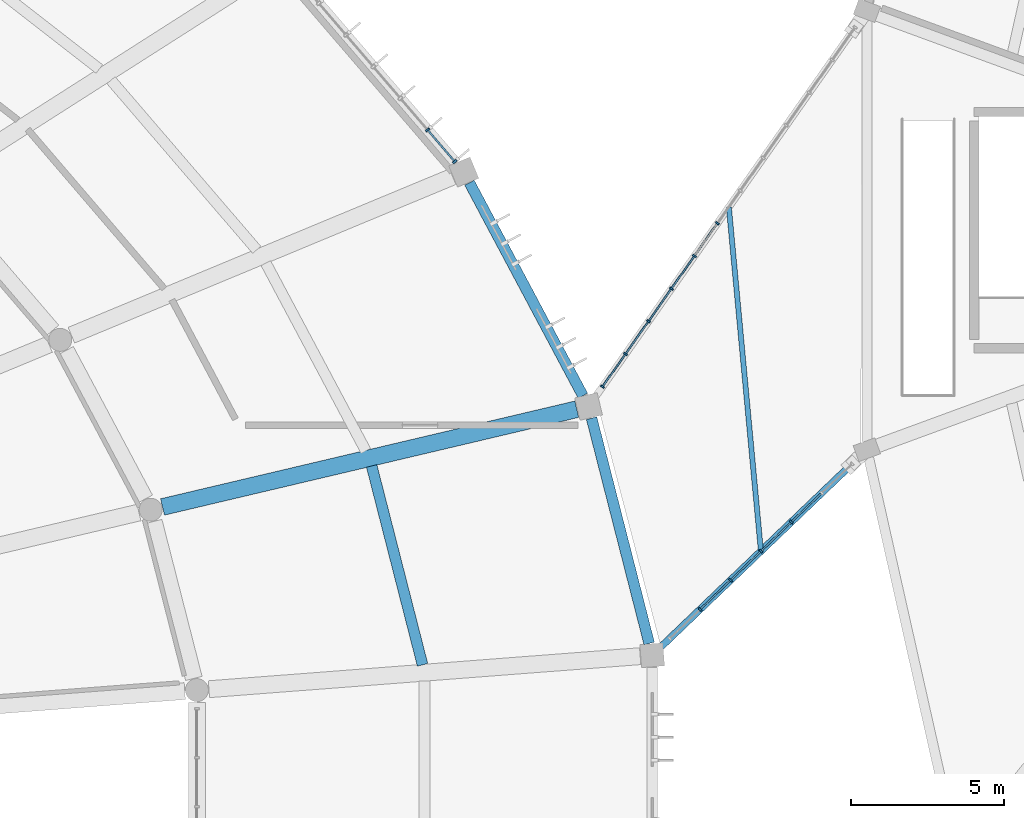
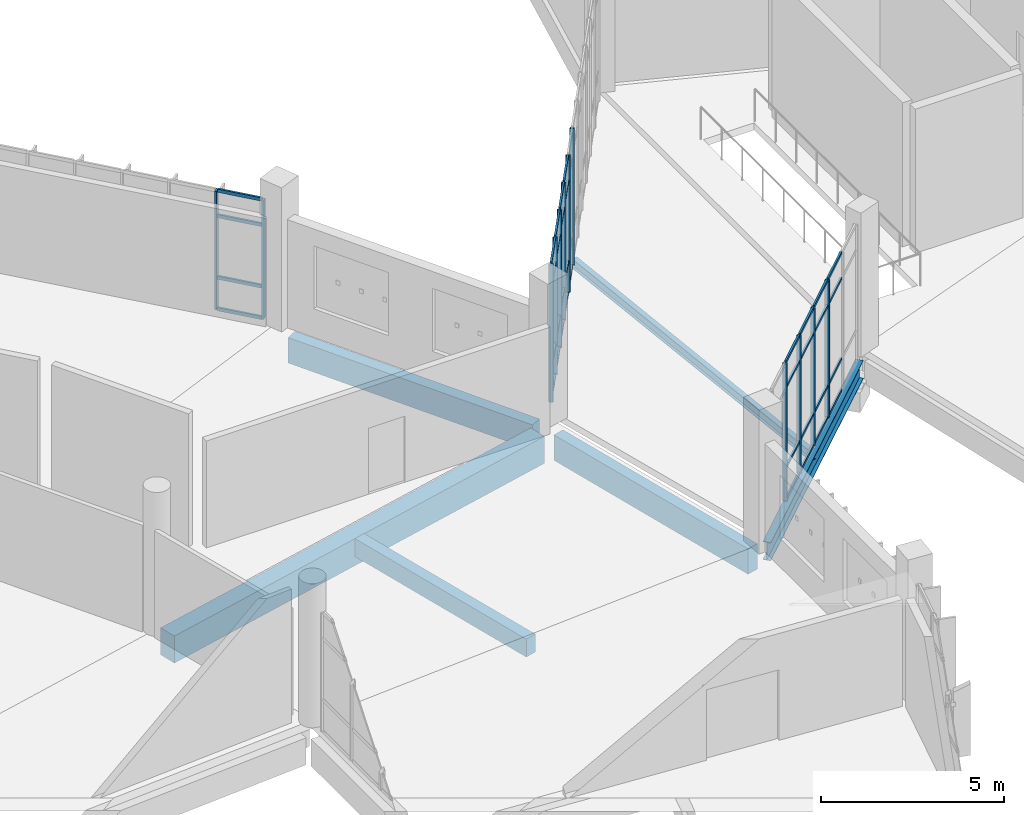
# One storey, part 48 of 179: 49 members, 6 beams, 3 elements without a shape of their own.
"""IFC4 building model written with IfcOpenShell, lengths in metres."""

from ifc_helpers import new_model, si_unit, direction, frame, origin, origin_2d, place, context, subcontext, project, spatial, rectangle, i_section, extrude, material, layer, layer_set, material_profile, profile_set, type_object, element, aggregate, save


model = new_model("IFC4")

# Units and contexts
model_context = context("Model", 3, precision=1e-05, world=origin(), true_north=direction((0.0, 1.0)))
body_context = subcontext(model_context, "Body", "Model", "MODEL_VIEW")
ifc_project = project(units=[si_unit("LENGTHUNIT", "METRE"), si_unit("AREAUNIT", "SQUARE_METRE"), si_unit("VOLUMEUNIT", "CUBIC_METRE"), si_unit("PLANEANGLEUNIT", "RADIAN"), si_unit("MASSUNIT", "GRAM", prefix="KILO")], contexts=[model_context])

# Site, building, storey
site_placement = place(None, origin())
site = spatial("IfcSite", under=ifc_project, at=site_placement, CompositionType="ELEMENT")
building_placement = place(site_placement, origin())
building = spatial("IfcBuilding", under=site, at=building_placement, Name="Corvandel Quay Wholesale Market", CompositionType="ELEMENT")
storey_placement = place(building_placement, frame((0.0, 0.0, 6.0)))
storey = spatial("IfcBuildingStorey", under=building, at=storey_placement, Name="L01", CompositionType="ELEMENT", Elevation=6.0)

# Beams
ifc_material_1 = material(Name="Steel A992 Grade 50", Category="steel")
ifc_material_profile_1 = material_profile(ifc_material_1, i_section(OverallWidth=0.1669921875, OverallDepth=0.318115234375, WebThickness=0.007568359375, FlangeThickness=0.01318359375, at=origin_2d()), Name="W12X35")
ifc_profile_set_1 = profile_set([ifc_material_profile_1], Name="Steel A992 Grade 50")
beam_type_1 = type_object("IfcBeamType", Name="Bridge Floor Steel Beam SB02 W12X35", PredefinedType="BEAM", material=ifc_profile_set_1)
beam_1_placement = place(storey_placement, frame((171.544189453125, 49.541259765625, -0.3798828125), z_axis=(-0.092821925556, 0.995682725639, 0.0), x_axis=(-0.995682725639, -0.092821925556, 0.0)))
element("IfcBeam", 1, at=beam_1_placement, inside=storey, type_object=beam_type_1, Name="Beam BM-1795", PredefinedType="BEAM", context=body_context, shape_type="SweptSolid", body=[
    extrude(i_section(OverallWidth=0.1669921875, OverallDepth=0.318115234375, WebThickness=0.007568359375, FlangeThickness=0.01318359375, at=origin_2d()), origin(), (0.0, 0.0, 1.0), 11.254638671875),
])
ifc_material_profile_2 = material_profile(ifc_material_1, i_section(OverallWidth=0.22900390625, OverallDepth=0.612060546875, WebThickness=0.011962890625, FlangeThickness=0.01953125, at=origin_2d()), Name="W24X84")
ifc_profile_set_2 = profile_set([ifc_material_profile_2], Name="Steel A992 Grade 50")
beam_type_2 = type_object("IfcBeamType", Name="Bridge Link Steel Girder SG02 W24X84", PredefinedType="USERDEFINED", material=ifc_profile_set_2)
beam_2_placement = place(storey_placement, frame((168.28173828125, 46.40673828125, -0.52587890625), z_axis=(0.72231317905, 0.691566100507, 0.0), x_axis=(-0.691566100507, 0.72231317905, 0.0)))
element("IfcBeam", 2, at=beam_2_placement, inside=storey, type_object=beam_type_2, Name="Beam BM-1792", ObjectType="GIRDER", PredefinedType="USERDEFINED", context=body_context, shape_type="SweptSolid", body=[
    extrude(i_section(OverallWidth=0.22900390625, OverallDepth=0.612060546875, WebThickness=0.011962890625, FlangeThickness=0.01953125, at=origin_2d()), origin(), (0.0, 0.0, 1.0), 9.0361328125),
])

# Curtain wall, members
ifc_material_2 = material(Name="Bronze anodised aluminium and low-E insulated glazing", Category="aluminium")
ifc_layer_1 = layer(ifc_material_2, 0.14990234375)
ifc_layer_set_1 = layer_set([ifc_layer_1], Name="Bronze anodised aluminium and low-E insulated glazing")
curtain_wall_type_1 = type_object("IfcCurtainWallType", Name="Stick Curtain Wall System CW25 H5250", PredefinedType="NOTDEFINED", material=ifc_layer_set_1)
curtain_wall_1_placement = place(storey_placement, origin())
curtain_wall_1 = element("IfcCurtainWall", 3, at=curtain_wall_1_placement, inside=storey, type_object=curtain_wall_type_1, Name="Curtain Wall CW-0176", PredefinedType="NOTDEFINED")
ifc_material_3 = material(Name="Anodised aluminium 6063-T6", Category="aluminium")
ifc_material_profile_3 = material_profile(ifc_material_3, rectangle(XDim=0.06005859375, YDim=0.1298828125, at=origin_2d()), Name="ALU-MUL-60x130")
ifc_profile_set_3 = profile_set([ifc_material_profile_3], Name="Anodised aluminium 6063-T6")
member_type_1 = type_object("IfcMemberType", Name="Clerestory Mullion ML03 60x130", PredefinedType="MULLION", material=ifc_profile_set_3)
member_1_placement = place(storey_placement, frame((169.56201171875, 47.632568359375, -0.030029296875), z_axis=(0.0, 0.0, 1.0), x_axis=(0.72236396206, 0.691513055782, 0.0)))
member_1 = element("IfcMember", 4, at=member_1_placement, type_object=member_type_1, Name="Mullion CW-0176-M01", PredefinedType="MULLION", context=body_context, shape_type="SweptSolid", body=[
    extrude(rectangle(XDim=0.06005859375, YDim=0.1298828125, at=origin_2d()), origin(), (0.0, 0.0, 1.0), 4.580078125),
])
member_2_placement = place(storey_placement, frame((170.5537109375, 48.581787109375, -0.030029296875), z_axis=(0.0, 0.0, 1.0), x_axis=(0.72236396206, 0.691513055782, 0.0)))
member_2 = element("IfcMember", 5, at=member_2_placement, type_object=member_type_1, Name="Mullion CW-0176-M02", PredefinedType="MULLION", context=body_context, shape_type="SweptSolid", body=[
    extrude(rectangle(XDim=0.06005859375, YDim=0.1298828125, at=origin_2d()), origin(), (0.0, 0.0, 1.0), 4.580078125),
])
member_3_placement = place(storey_placement, frame((171.545166015625, 49.53125, -0.030029296875), z_axis=(0.0, 0.0, 1.0), x_axis=(0.72236396206, 0.691513055782, 0.0)))
member_3 = element("IfcMember", 6, at=member_3_placement, type_object=member_type_1, Name="Mullion CW-0176-M03", PredefinedType="MULLION", context=body_context, shape_type="SweptSolid", body=[
    extrude(rectangle(XDim=0.06005859375, YDim=0.1298828125, at=origin_2d()), origin(), (0.0, 0.0, 1.0), 4.580078125),
])
member_4_placement = place(storey_placement, frame((172.53662109375, 50.48046875, -0.030029296875), z_axis=(0.0, 0.0, 1.0), x_axis=(0.72236396206, 0.691513055782, 0.0)))
member_4 = element("IfcMember", 7, at=member_4_placement, type_object=member_type_1, Name="Mullion CW-0176-M04", PredefinedType="MULLION", context=body_context, shape_type="SweptSolid", body=[
    extrude(rectangle(XDim=0.06005859375, YDim=0.1298828125, at=origin_2d()), origin(), (0.0, 0.0, 1.0), 4.580078125),
])

ifc_layer_2 = layer(ifc_material_2, 0.162109375)
ifc_layer_set_2 = layer_set([ifc_layer_2], Name="Bronze anodised aluminium and low-E insulated glazing")
curtain_wall_type_2 = type_object("IfcCurtainWallType", Name="Stick Curtain Wall System CW26 H5340", PredefinedType="NOTDEFINED", material=ifc_layer_set_2)
curtain_wall_2_placement = place(storey_placement, origin())
curtain_wall_2 = element("IfcCurtainWall", 8, at=curtain_wall_2_placement, inside=storey, type_object=curtain_wall_type_2, Name="Curtain Wall CW-0177", PredefinedType="NOTDEFINED")
member_5_placement = place(storey_placement, frame((166.37939453125, 54.8974609375, -0.030029296875), z_axis=(0.0, 0.0, 1.0), x_axis=(0.575148037348, 0.818049347616, 0.0)))
member_5 = element("IfcMember", 9, at=member_5_placement, type_object=member_type_1, Name="Mullion CW-0177-M00", PredefinedType="MULLION", context=body_context, shape_type="SweptSolid", body=[
    extrude(rectangle(XDim=0.06005859375, YDim=0.1298828125, at=origin_2d()), origin(), (0.0, 0.0, 1.0), 4.580078125),
])
member_6_placement = place(storey_placement, frame((167.128173828125, 55.962890625, -0.030029296875), z_axis=(0.0, 0.0, 1.0), x_axis=(0.575148037348, 0.818049347616, 0.0)))
member_6 = element("IfcMember", 10, at=member_6_placement, type_object=member_type_1, Name="Mullion CW-0177-M01", PredefinedType="MULLION", context=body_context, shape_type="SweptSolid", body=[
    extrude(rectangle(XDim=0.06005859375, YDim=0.1298828125, at=origin_2d()), origin(), (0.0, 0.0, 1.0), 4.580078125),
])
member_7_placement = place(storey_placement, frame((167.877197265625, 57.0283203125, -0.030029296875), z_axis=(0.0, 0.0, 1.0), x_axis=(0.575148037348, 0.818049347616, 0.0)))
member_7 = element("IfcMember", 11, at=member_7_placement, type_object=member_type_1, Name="Mullion CW-0177-M02", PredefinedType="MULLION", context=body_context, shape_type="SweptSolid", body=[
    extrude(rectangle(XDim=0.06005859375, YDim=0.1298828125, at=origin_2d()), origin(), (0.0, 0.0, 1.0), 4.580078125),
])
member_8_placement = place(storey_placement, frame((168.626220703125, 58.093505859375, -0.030029296875), z_axis=(0.0, 0.0, 1.0), x_axis=(0.575148037348, 0.818049347616, 0.0)))
member_8 = element("IfcMember", 12, at=member_8_placement, type_object=member_type_1, Name="Mullion CW-0177-M03", PredefinedType="MULLION", context=body_context, shape_type="SweptSolid", body=[
    extrude(rectangle(XDim=0.06005859375, YDim=0.1298828125, at=origin_2d()), origin(), (0.0, 0.0, 1.0), 4.580078125),
])
member_9_placement = place(storey_placement, frame((169.375, 59.158935546875, -0.030029296875), z_axis=(0.0, 0.0, 1.0), x_axis=(0.575148037348, 0.818049347616, 0.0)))
member_9 = element("IfcMember", 13, at=member_9_placement, type_object=member_type_1, Name="Mullion CW-0177-M04", PredefinedType="MULLION", context=body_context, shape_type="SweptSolid", body=[
    extrude(rectangle(XDim=0.06005859375, YDim=0.1298828125, at=origin_2d()), origin(), (0.0, 0.0, 1.0), 4.580078125),
])
member_10_placement = place(storey_placement, frame((170.1240234375, 60.224365234375, -0.030029296875), z_axis=(0.0, 0.0, 1.0), x_axis=(0.575148037348, 0.818049347616, 0.0)))
member_10 = element("IfcMember", 14, at=member_10_placement, type_object=member_type_1, Name="Mullion CW-0177-M05", PredefinedType="MULLION", context=body_context, shape_type="SweptSolid", body=[
    extrude(rectangle(XDim=0.06005859375, YDim=0.1298828125, at=origin_2d()), origin(), (0.0, 0.0, 1.0), 4.580078125),
])

# Member
ifc_material_profile_4 = material_profile(ifc_material_3, rectangle(XDim=0.054931640625, YDim=0.094970703125, at=origin_2d()), Name="ALU-TRN-55x95")
ifc_profile_set_4 = profile_set([ifc_material_profile_4], Name="Anodised aluminium 6063-T6")
member_type_2 = type_object("IfcMemberType", Name="Clerestory Transom TR03 55x95", PredefinedType="USERDEFINED", material=ifc_profile_set_4)
member_11_placement = place(storey_placement, frame((169.583740234375, 47.6533203125, -0.030029296875), z_axis=(0.722282315637, 0.691598334669, 0.0), x_axis=(-0.691598334669, 0.722282315637, 0.0)))
member_11 = element("IfcMember", 15, at=member_11_placement, type_object=member_type_2, Name="Transom CW-0176-T01-0", ObjectType="TRANSOM", PredefinedType="USERDEFINED", context=body_context, shape_type="SweptSolid", body=[
    extrude(rectangle(XDim=0.054931640625, YDim=0.094970703125, at=origin_2d()), origin(), (0.0, 0.0, 1.0), 1.312744140625),
])

member_12_placement = place(storey_placement, frame((169.583740234375, 47.6533203125, 1.02001953125), z_axis=(0.722282315637, 0.691598334669, 0.0), x_axis=(-0.691598334669, 0.722282315637, 0.0)))
member_12 = element("IfcMember", 16, at=member_12_placement, type_object=member_type_2, Name="Transom CW-0176-T01-1", ObjectType="TRANSOM", PredefinedType="USERDEFINED", context=body_context, shape_type="SweptSolid", body=[
    extrude(rectangle(XDim=0.054931640625, YDim=0.094970703125, at=origin_2d()), origin(), (0.0, 0.0, 1.0), 1.312744140625),
])

member_13_placement = place(storey_placement, frame((169.583740234375, 47.6533203125, 3.699951171875), z_axis=(0.722282315637, 0.691598334669, 0.0), x_axis=(-0.691598334669, 0.722282315637, 0.0)))
member_13 = element("IfcMember", 17, at=member_13_placement, type_object=member_type_2, Name="Transom CW-0176-T01-2", ObjectType="TRANSOM", PredefinedType="USERDEFINED", context=body_context, shape_type="SweptSolid", body=[
    extrude(rectangle(XDim=0.054931640625, YDim=0.094970703125, at=origin_2d()), origin(), (0.0, 0.0, 1.0), 1.312744140625),
])

member_14_placement = place(storey_placement, frame((169.583740234375, 47.6533203125, 4.550048828125), z_axis=(0.722282315637, 0.691598334669, 0.0), x_axis=(-0.691598334669, 0.722282315637, 0.0)))
member_14 = element("IfcMember", 18, at=member_14_placement, type_object=member_type_2, Name="Transom CW-0176-T01-3", ObjectType="TRANSOM", PredefinedType="USERDEFINED", context=body_context, shape_type="SweptSolid", body=[
    extrude(rectangle(XDim=0.054931640625, YDim=0.094970703125, at=origin_2d()), origin(), (0.0, 0.0, 1.0), 1.312744140625),
])

member_15_placement = place(storey_placement, frame((170.5751953125, 48.6025390625, -0.030029296875), z_axis=(0.722282315637, 0.691598334669, 0.0), x_axis=(-0.691598334669, 0.722282315637, 0.0)))
member_15 = element("IfcMember", 19, at=member_15_placement, type_object=member_type_2, Name="Transom CW-0176-T02-0", ObjectType="TRANSOM", PredefinedType="USERDEFINED", context=body_context, shape_type="SweptSolid", body=[
    extrude(rectangle(XDim=0.054931640625, YDim=0.094970703125, at=origin_2d()), origin(), (0.0, 0.0, 1.0), 1.312744140625),
])

member_16_placement = place(storey_placement, frame((170.5751953125, 48.6025390625, 1.02001953125), z_axis=(0.722282315637, 0.691598334669, 0.0), x_axis=(-0.691598334669, 0.722282315637, 0.0)))
member_16 = element("IfcMember", 20, at=member_16_placement, type_object=member_type_2, Name="Transom CW-0176-T02-1", ObjectType="TRANSOM", PredefinedType="USERDEFINED", context=body_context, shape_type="SweptSolid", body=[
    extrude(rectangle(XDim=0.054931640625, YDim=0.094970703125, at=origin_2d()), origin(), (0.0, 0.0, 1.0), 1.312744140625),
])

member_17_placement = place(storey_placement, frame((170.5751953125, 48.6025390625, 3.699951171875), z_axis=(0.722282315637, 0.691598334669, 0.0), x_axis=(-0.691598334669, 0.722282315637, 0.0)))
member_17 = element("IfcMember", 21, at=member_17_placement, type_object=member_type_2, Name="Transom CW-0176-T02-2", ObjectType="TRANSOM", PredefinedType="USERDEFINED", context=body_context, shape_type="SweptSolid", body=[
    extrude(rectangle(XDim=0.054931640625, YDim=0.094970703125, at=origin_2d()), origin(), (0.0, 0.0, 1.0), 1.312744140625),
])

member_18_placement = place(storey_placement, frame((170.5751953125, 48.6025390625, 4.550048828125), z_axis=(0.722282315637, 0.691598334669, 0.0), x_axis=(-0.691598334669, 0.722282315637, 0.0)))
member_18 = element("IfcMember", 22, at=member_18_placement, type_object=member_type_2, Name="Transom CW-0176-T02-3", ObjectType="TRANSOM", PredefinedType="USERDEFINED", context=body_context, shape_type="SweptSolid", body=[
    extrude(rectangle(XDim=0.054931640625, YDim=0.094970703125, at=origin_2d()), origin(), (0.0, 0.0, 1.0), 1.312744140625),
])

member_19_placement = place(storey_placement, frame((171.56689453125, 49.552001953125, -0.030029296875), z_axis=(0.722286262994, 0.691594212158, 0.0), x_axis=(-0.691594212158, 0.722286262994, 0.0)))
member_19 = element("IfcMember", 23, at=member_19_placement, type_object=member_type_2, Name="Transom CW-0176-T03-0", ObjectType="TRANSOM", PredefinedType="USERDEFINED", context=body_context, shape_type="SweptSolid", body=[
    extrude(rectangle(XDim=0.054931640625, YDim=0.094970703125, at=origin_2d()), origin(), (0.0, 0.0, 1.0), 1.3125),
])

member_20_placement = place(storey_placement, frame((171.56689453125, 49.552001953125, 1.02001953125), z_axis=(0.722286262994, 0.691594212158, 0.0), x_axis=(-0.691594212158, 0.722286262994, 0.0)))
member_20 = element("IfcMember", 24, at=member_20_placement, type_object=member_type_2, Name="Transom CW-0176-T03-1", ObjectType="TRANSOM", PredefinedType="USERDEFINED", context=body_context, shape_type="SweptSolid", body=[
    extrude(rectangle(XDim=0.054931640625, YDim=0.094970703125, at=origin_2d()), origin(), (0.0, 0.0, 1.0), 1.3125),
])

member_21_placement = place(storey_placement, frame((171.56689453125, 49.552001953125, 3.699951171875), z_axis=(0.722286262994, 0.691594212158, 0.0), x_axis=(-0.691594212158, 0.722286262994, 0.0)))
member_21 = element("IfcMember", 25, at=member_21_placement, type_object=member_type_2, Name="Transom CW-0176-T03-2", ObjectType="TRANSOM", PredefinedType="USERDEFINED", context=body_context, shape_type="SweptSolid", body=[
    extrude(rectangle(XDim=0.054931640625, YDim=0.094970703125, at=origin_2d()), origin(), (0.0, 0.0, 1.0), 1.3125),
])

member_22_placement = place(storey_placement, frame((171.56689453125, 49.552001953125, 4.550048828125), z_axis=(0.722286262994, 0.691594212158, 0.0), x_axis=(-0.691594212158, 0.722286262994, 0.0)))
member_22 = element("IfcMember", 26, at=member_22_placement, type_object=member_type_2, Name="Transom CW-0176-T03-3", ObjectType="TRANSOM", PredefinedType="USERDEFINED", context=body_context, shape_type="SweptSolid", body=[
    extrude(rectangle(XDim=0.054931640625, YDim=0.094970703125, at=origin_2d()), origin(), (0.0, 0.0, 1.0), 1.3125),
])

member_23_placement = place(storey_placement, frame((172.558349609375, 50.501220703125, -0.030029296875), z_axis=(0.722282315637, 0.691598334669, 0.0), x_axis=(-0.691598334669, 0.722282315637, 0.0)))
member_23 = element("IfcMember", 27, at=member_23_placement, type_object=member_type_2, Name="Transom CW-0176-T04-0", ObjectType="TRANSOM", PredefinedType="USERDEFINED", context=body_context, shape_type="SweptSolid", body=[
    extrude(rectangle(XDim=0.054931640625, YDim=0.094970703125, at=origin_2d()), origin(), (0.0, 0.0, 1.0), 1.312744140625),
])

member_24_placement = place(storey_placement, frame((172.558349609375, 50.501220703125, 1.02001953125), z_axis=(0.722282315637, 0.691598334669, 0.0), x_axis=(-0.691598334669, 0.722282315637, 0.0)))
member_24 = element("IfcMember", 28, at=member_24_placement, type_object=member_type_2, Name="Transom CW-0176-T04-1", ObjectType="TRANSOM", PredefinedType="USERDEFINED", context=body_context, shape_type="SweptSolid", body=[
    extrude(rectangle(XDim=0.054931640625, YDim=0.094970703125, at=origin_2d()), origin(), (0.0, 0.0, 1.0), 1.312744140625),
])

member_25_placement = place(storey_placement, frame((172.558349609375, 50.501220703125, 3.699951171875), z_axis=(0.722282315637, 0.691598334669, 0.0), x_axis=(-0.691598334669, 0.722282315637, 0.0)))
member_25 = element("IfcMember", 29, at=member_25_placement, type_object=member_type_2, Name="Transom CW-0176-T04-2", ObjectType="TRANSOM", PredefinedType="USERDEFINED", context=body_context, shape_type="SweptSolid", body=[
    extrude(rectangle(XDim=0.054931640625, YDim=0.094970703125, at=origin_2d()), origin(), (0.0, 0.0, 1.0), 1.312744140625),
])

member_26_placement = place(storey_placement, frame((172.558349609375, 50.501220703125, 4.550048828125), z_axis=(0.722282315637, 0.691598334669, 0.0), x_axis=(-0.691598334669, 0.722282315637, 0.0)))
member_26 = element("IfcMember", 30, at=member_26_placement, type_object=member_type_2, Name="Transom CW-0176-T04-3", ObjectType="TRANSOM", PredefinedType="USERDEFINED", context=body_context, shape_type="SweptSolid", body=[
    extrude(rectangle(XDim=0.054931640625, YDim=0.094970703125, at=origin_2d()), origin(), (0.0, 0.0, 1.0), 1.312744140625),
])

aggregate(curtain_wall_1, [member_1, member_2, member_3, member_4, member_11, member_12, member_13, member_14, member_15, member_16, member_17, member_18, member_19, member_20, member_21, member_22, member_23, member_24, member_25, member_26])

member_27_placement = place(storey_placement, frame((166.396484375, 54.921875, -0.030029296875), z_axis=(0.575162369766, 0.818039270699, 0.0), x_axis=(-0.818039270699, 0.575162369766, 0.0)))
member_27 = element("IfcMember", 31, at=member_27_placement, type_object=member_type_2, Name="Transom CW-0177-T00-0", ObjectType="TRANSOM", PredefinedType="USERDEFINED", context=body_context, shape_type="SweptSolid", body=[
    extrude(rectangle(XDim=0.054931640625, YDim=0.094970703125, at=origin_2d()), origin(), (0.0, 0.0, 1.0), 1.242431640625),
])

member_28_placement = place(storey_placement, frame((166.396484375, 54.921875, 1.02001953125), z_axis=(0.575162369766, 0.818039270699, 0.0), x_axis=(-0.818039270699, 0.575162369766, 0.0)))
member_28 = element("IfcMember", 32, at=member_28_placement, type_object=member_type_2, Name="Transom CW-0177-T00-1", ObjectType="TRANSOM", PredefinedType="USERDEFINED", context=body_context, shape_type="SweptSolid", body=[
    extrude(rectangle(XDim=0.054931640625, YDim=0.094970703125, at=origin_2d()), origin(), (0.0, 0.0, 1.0), 1.242431640625),
])

member_29_placement = place(storey_placement, frame((166.396484375, 54.921875, 3.699951171875), z_axis=(0.575162369766, 0.818039270699, 0.0), x_axis=(-0.818039270699, 0.575162369766, 0.0)))
member_29 = element("IfcMember", 33, at=member_29_placement, type_object=member_type_2, Name="Transom CW-0177-T00-2", ObjectType="TRANSOM", PredefinedType="USERDEFINED", context=body_context, shape_type="SweptSolid", body=[
    extrude(rectangle(XDim=0.054931640625, YDim=0.094970703125, at=origin_2d()), origin(), (0.0, 0.0, 1.0), 1.242431640625),
])

member_30_placement = place(storey_placement, frame((166.396484375, 54.921875, 4.550048828125), z_axis=(0.575162369766, 0.818039270699, 0.0), x_axis=(-0.818039270699, 0.575162369766, 0.0)))
member_30 = element("IfcMember", 34, at=member_30_placement, type_object=member_type_2, Name="Transom CW-0177-T00-3", ObjectType="TRANSOM", PredefinedType="USERDEFINED", context=body_context, shape_type="SweptSolid", body=[
    extrude(rectangle(XDim=0.054931640625, YDim=0.094970703125, at=origin_2d()), origin(), (0.0, 0.0, 1.0), 1.242431640625),
])

member_31_placement = place(storey_placement, frame((167.1455078125, 55.9873046875, -0.030029296875), z_axis=(0.57503085041, 0.818131725993, 0.0), x_axis=(-0.818131725993, 0.57503085041, 0.0)))
member_31 = element("IfcMember", 35, at=member_31_placement, type_object=member_type_2, Name="Transom CW-0177-T01-0", ObjectType="TRANSOM", PredefinedType="USERDEFINED", context=body_context, shape_type="SweptSolid", body=[
    extrude(rectangle(XDim=0.054931640625, YDim=0.094970703125, at=origin_2d()), origin(), (0.0, 0.0, 1.0), 1.2421875),
])

member_32_placement = place(storey_placement, frame((167.1455078125, 55.9873046875, 1.02001953125), z_axis=(0.57503085041, 0.818131725993, 0.0), x_axis=(-0.818131725993, 0.57503085041, 0.0)))
member_32 = element("IfcMember", 36, at=member_32_placement, type_object=member_type_2, Name="Transom CW-0177-T01-1", ObjectType="TRANSOM", PredefinedType="USERDEFINED", context=body_context, shape_type="SweptSolid", body=[
    extrude(rectangle(XDim=0.054931640625, YDim=0.094970703125, at=origin_2d()), origin(), (0.0, 0.0, 1.0), 1.2421875),
])

member_33_placement = place(storey_placement, frame((167.1455078125, 55.9873046875, 3.699951171875), z_axis=(0.57503085041, 0.818131725993, 0.0), x_axis=(-0.818131725993, 0.57503085041, 0.0)))
member_33 = element("IfcMember", 37, at=member_33_placement, type_object=member_type_2, Name="Transom CW-0177-T01-2", ObjectType="TRANSOM", PredefinedType="USERDEFINED", context=body_context, shape_type="SweptSolid", body=[
    extrude(rectangle(XDim=0.054931640625, YDim=0.094970703125, at=origin_2d()), origin(), (0.0, 0.0, 1.0), 1.2421875),
])

member_34_placement = place(storey_placement, frame((167.1455078125, 55.9873046875, 4.550048828125), z_axis=(0.57503085041, 0.818131725993, 0.0), x_axis=(-0.818131725993, 0.57503085041, 0.0)))
member_34 = element("IfcMember", 38, at=member_34_placement, type_object=member_type_2, Name="Transom CW-0177-T01-3", ObjectType="TRANSOM", PredefinedType="USERDEFINED", context=body_context, shape_type="SweptSolid", body=[
    extrude(rectangle(XDim=0.054931640625, YDim=0.094970703125, at=origin_2d()), origin(), (0.0, 0.0, 1.0), 1.2421875),
])

member_35_placement = place(storey_placement, frame((167.894287109375, 57.052734375, -0.030029296875), z_axis=(0.575162369766, 0.818039270699, 0.0), x_axis=(-0.818039270699, 0.575162369766, 0.0)))
member_35 = element("IfcMember", 39, at=member_35_placement, type_object=member_type_2, Name="Transom CW-0177-T02-0", ObjectType="TRANSOM", PredefinedType="USERDEFINED", context=body_context, shape_type="SweptSolid", body=[
    extrude(rectangle(XDim=0.054931640625, YDim=0.094970703125, at=origin_2d()), origin(), (0.0, 0.0, 1.0), 1.242431640625),
])

member_36_placement = place(storey_placement, frame((167.894287109375, 57.052734375, 1.02001953125), z_axis=(0.575162369766, 0.818039270699, 0.0), x_axis=(-0.818039270699, 0.575162369766, 0.0)))
member_36 = element("IfcMember", 40, at=member_36_placement, type_object=member_type_2, Name="Transom CW-0177-T02-1", ObjectType="TRANSOM", PredefinedType="USERDEFINED", context=body_context, shape_type="SweptSolid", body=[
    extrude(rectangle(XDim=0.054931640625, YDim=0.094970703125, at=origin_2d()), origin(), (0.0, 0.0, 1.0), 1.242431640625),
])

member_37_placement = place(storey_placement, frame((167.894287109375, 57.052734375, 3.699951171875), z_axis=(0.575162369766, 0.818039270699, 0.0), x_axis=(-0.818039270699, 0.575162369766, 0.0)))
member_37 = element("IfcMember", 41, at=member_37_placement, type_object=member_type_2, Name="Transom CW-0177-T02-2", ObjectType="TRANSOM", PredefinedType="USERDEFINED", context=body_context, shape_type="SweptSolid", body=[
    extrude(rectangle(XDim=0.054931640625, YDim=0.094970703125, at=origin_2d()), origin(), (0.0, 0.0, 1.0), 1.242431640625),
])

member_38_placement = place(storey_placement, frame((167.894287109375, 57.052734375, 4.550048828125), z_axis=(0.575162369766, 0.818039270699, 0.0), x_axis=(-0.818039270699, 0.575162369766, 0.0)))
member_38 = element("IfcMember", 42, at=member_38_placement, type_object=member_type_2, Name="Transom CW-0177-T02-3", ObjectType="TRANSOM", PredefinedType="USERDEFINED", context=body_context, shape_type="SweptSolid", body=[
    extrude(rectangle(XDim=0.054931640625, YDim=0.094970703125, at=origin_2d()), origin(), (0.0, 0.0, 1.0), 1.242431640625),
])

member_39_placement = place(storey_placement, frame((168.643310546875, 58.1181640625, -0.030029296875), z_axis=(0.575162369766, 0.818039270699, 0.0), x_axis=(-0.818039270699, 0.575162369766, 0.0)))
member_39 = element("IfcMember", 43, at=member_39_placement, type_object=member_type_2, Name="Transom CW-0177-T03-0", ObjectType="TRANSOM", PredefinedType="USERDEFINED", context=body_context, shape_type="SweptSolid", body=[
    extrude(rectangle(XDim=0.054931640625, YDim=0.094970703125, at=origin_2d()), origin(), (0.0, 0.0, 1.0), 1.242431640625),
])

member_40_placement = place(storey_placement, frame((168.643310546875, 58.1181640625, 1.02001953125), z_axis=(0.575162369766, 0.818039270699, 0.0), x_axis=(-0.818039270699, 0.575162369766, 0.0)))
member_40 = element("IfcMember", 44, at=member_40_placement, type_object=member_type_2, Name="Transom CW-0177-T03-1", ObjectType="TRANSOM", PredefinedType="USERDEFINED", context=body_context, shape_type="SweptSolid", body=[
    extrude(rectangle(XDim=0.054931640625, YDim=0.094970703125, at=origin_2d()), origin(), (0.0, 0.0, 1.0), 1.242431640625),
])

member_41_placement = place(storey_placement, frame((168.643310546875, 58.1181640625, 3.699951171875), z_axis=(0.575162369766, 0.818039270699, 0.0), x_axis=(-0.818039270699, 0.575162369766, 0.0)))
member_41 = element("IfcMember", 45, at=member_41_placement, type_object=member_type_2, Name="Transom CW-0177-T03-2", ObjectType="TRANSOM", PredefinedType="USERDEFINED", context=body_context, shape_type="SweptSolid", body=[
    extrude(rectangle(XDim=0.054931640625, YDim=0.094970703125, at=origin_2d()), origin(), (0.0, 0.0, 1.0), 1.242431640625),
])

member_42_placement = place(storey_placement, frame((168.643310546875, 58.1181640625, 4.550048828125), z_axis=(0.575162369766, 0.818039270699, 0.0), x_axis=(-0.818039270699, 0.575162369766, 0.0)))
member_42 = element("IfcMember", 46, at=member_42_placement, type_object=member_type_2, Name="Transom CW-0177-T03-3", ObjectType="TRANSOM", PredefinedType="USERDEFINED", context=body_context, shape_type="SweptSolid", body=[
    extrude(rectangle(XDim=0.054931640625, YDim=0.094970703125, at=origin_2d()), origin(), (0.0, 0.0, 1.0), 1.242431640625),
])

member_43_placement = place(storey_placement, frame((169.392333984375, 59.18359375, -0.030029296875), z_axis=(0.57503085041, 0.818131725993, 0.0), x_axis=(-0.818131725993, 0.57503085041, 0.0)))
member_43 = element("IfcMember", 47, at=member_43_placement, type_object=member_type_2, Name="Transom CW-0177-T04-0", ObjectType="TRANSOM", PredefinedType="USERDEFINED", context=body_context, shape_type="SweptSolid", body=[
    extrude(rectangle(XDim=0.054931640625, YDim=0.094970703125, at=origin_2d()), origin(), (0.0, 0.0, 1.0), 1.2421875),
])

aggregate(curtain_wall_2, [member_5, member_6, member_7, member_8, member_9, member_10, member_27, member_28, member_29, member_30, member_31, member_32, member_33, member_34, member_35, member_36, member_37, member_38, member_39, member_40, member_41, member_42, member_43])

# Curtain wall, members
ifc_layer_3 = layer(ifc_material_2, 0.174072265625)
ifc_layer_set_3 = layer_set([ifc_layer_3], Name="Bronze anodised aluminium and low-E insulated glazing")
curtain_wall_type_3 = type_object("IfcCurtainWallType", Name="Stick Curtain Wall System CW07 H3630", PredefinedType="NOTDEFINED", material=ifc_layer_set_3)
curtain_wall_3_placement = place(storey_placement, origin())
curtain_wall_3 = element("IfcCurtainWall", 48, at=curtain_wall_3_placement, inside=storey, type_object=curtain_wall_type_3, Name="Curtain Wall CW-0006", PredefinedType="NOTDEFINED")
ifc_material_profile_5 = material_profile(ifc_material_3, rectangle(XDim=0.06494140625, YDim=0.14990234375, at=origin_2d()), Name="ALU-MUL-65x150")
ifc_profile_set_5 = profile_set([ifc_material_profile_5], Name="Anodised aluminium 6063-T6")
member_type_3 = type_object("IfcMemberType", Name="Curtain Wall Mullion ML02 65x150", PredefinedType="MULLION", material=ifc_profile_set_5)
member_44_placement = place(storey_placement, frame((161.560791015625, 62.2353515625, 0.0), z_axis=(0.0, 0.0, 1.0), x_axis=(-0.651568967347, 0.758589401976, 0.0)))
member_44 = element("IfcMember", 49, at=member_44_placement, type_object=member_type_3, Name="Mullion CW-0006-M00", PredefinedType="MULLION", context=body_context, shape_type="SweptSolid", body=[
    extrude(rectangle(XDim=0.06494140625, YDim=0.14990234375, at=origin_2d()), origin(), (0.0, 0.0, 1.0), 3.949951171875),
])
member_45_placement = place(storey_placement, frame((160.673583984375, 63.26806640625, 0.0), z_axis=(0.0, 0.0, 1.0), x_axis=(-0.651568967347, 0.758589401976, 0.0)))
member_45 = element("IfcMember", 50, at=member_45_placement, type_object=member_type_3, Name="Mullion CW-0006-M01", PredefinedType="MULLION", context=body_context, shape_type="SweptSolid", body=[
    extrude(rectangle(XDim=0.06494140625, YDim=0.14990234375, at=origin_2d()), origin(), (0.0, 0.0, 1.0), 3.949951171875),
])
ifc_material_profile_6 = material_profile(ifc_material_3, rectangle(XDim=0.06005859375, YDim=0.110107421875, at=origin_2d()), Name="ALU-TRN-60x110")
ifc_profile_set_6 = profile_set([ifc_material_profile_6], Name="Anodised aluminium 6063-T6")
member_type_4 = type_object("IfcMemberType", Name="Curtain Wall Transom TR02 60x110", PredefinedType="USERDEFINED", material=ifc_profile_set_6)
member_46_placement = place(storey_placement, frame((161.53955078125, 62.260009765625, 0.0), z_axis=(-0.651597471756, 0.758564917987, 0.0), x_axis=(-0.758564917987, -0.651597471756, 0.0)))
member_46 = element("IfcMember", 51, at=member_46_placement, type_object=member_type_4, Name="Transom CW-0006-T00-0", ObjectType="TRANSOM", PredefinedType="USERDEFINED", context=body_context, shape_type="SweptSolid", body=[
    extrude(rectangle(XDim=0.06005859375, YDim=0.110107421875, at=origin_2d()), origin(), (0.0, 0.0, 1.0), 1.29638671875),
])
member_47_placement = place(storey_placement, frame((161.53955078125, 62.260009765625, 1.050048828125), z_axis=(-0.651597471756, 0.758564917987, 0.0), x_axis=(-0.758564917987, -0.651597471756, 0.0)))
member_47 = element("IfcMember", 52, at=member_47_placement, type_object=member_type_4, Name="Transom CW-0006-T00-1", ObjectType="TRANSOM", PredefinedType="USERDEFINED", context=body_context, shape_type="SweptSolid", body=[
    extrude(rectangle(XDim=0.06005859375, YDim=0.110107421875, at=origin_2d()), origin(), (0.0, 0.0, 1.0), 1.29638671875),
])
member_48_placement = place(storey_placement, frame((161.53955078125, 62.260009765625, 3.10009765625), z_axis=(-0.651597471756, 0.758564917987, 0.0), x_axis=(-0.758564917987, -0.651597471756, 0.0)))
member_48 = element("IfcMember", 53, at=member_48_placement, type_object=member_type_4, Name="Transom CW-0006-T00-2", ObjectType="TRANSOM", PredefinedType="USERDEFINED", context=body_context, shape_type="SweptSolid", body=[
    extrude(rectangle(XDim=0.06005859375, YDim=0.110107421875, at=origin_2d()), origin(), (0.0, 0.0, 1.0), 1.29638671875),
])
member_49_placement = place(storey_placement, frame((161.53955078125, 62.260009765625, 3.949951171875), z_axis=(-0.651597471756, 0.758564917987, 0.0), x_axis=(-0.758564917987, -0.651597471756, 0.0)))
member_49 = element("IfcMember", 54, at=member_49_placement, type_object=member_type_4, Name="Transom CW-0006-T00-3", ObjectType="TRANSOM", PredefinedType="USERDEFINED", context=body_context, shape_type="SweptSolid", body=[
    extrude(rectangle(XDim=0.06005859375, YDim=0.110107421875, at=origin_2d()), origin(), (0.0, 0.0, 1.0), 1.29638671875),
])
aggregate(curtain_wall_3, [member_44, member_45, member_46, member_47, member_48, member_49])

# Beams
ifc_material_4 = material(Name="Precast concrete C45/55", Category="concrete")
ifc_material_profile_7 = material_profile(ifc_material_4, rectangle(XDim=0.35009765625, YDim=0.85009765625, at=origin_2d()), Name="PC-SPN-350x850")
ifc_profile_set_7 = profile_set([ifc_material_profile_7], Name="Precast concrete C45/55")
beam_type_3 = type_object("IfcBeamType", Name="Perimeter Precast Spandrel SP01 350x850", PredefinedType="SPANDREL", material=ifc_profile_set_7)
beam_3_placement = place(storey_placement, frame((167.902099609375, 46.519775390625, -0.72509765625), z_axis=(-0.247742619066, 0.968825884614, 0.0), x_axis=(-0.968825884614, -0.247742619066, 0.0)))
element("IfcBeam", 55, at=beam_3_placement, inside=storey, type_object=beam_type_3, Name="Beam BM-0001", PredefinedType="SPANDREL", context=body_context, shape_type="SweptSolid", body=[
    extrude(rectangle(XDim=0.35009765625, YDim=0.85009765625, at=origin_2d()), origin(), (0.0, 0.0, 1.0), 7.585205078125),
])
beam_4_placement = place(storey_placement, frame((165.7392578125, 54.599609375, -0.72509765625), z_axis=(-0.470097048579, 0.882614731872, 0.0), x_axis=(-0.882614731872, -0.470097048579, 0.0)))
element("IfcBeam", 56, at=beam_4_placement, inside=storey, type_object=beam_type_3, Name="Beam BM-0014", PredefinedType="SPANDREL", context=body_context, shape_type="SweptSolid", body=[
    extrude(rectangle(XDim=0.35009765625, YDim=0.85009765625, at=origin_2d()), origin(), (0.0, 0.0, 1.0), 7.86962890625),
])
ifc_material_profile_8 = material_profile(ifc_material_4, rectangle(XDim=0.550048828125, YDim=0.89990234375, at=origin_2d()), Name="PC-GIR-550x900")
ifc_profile_set_8 = profile_set([ifc_material_profile_8], Name="Precast concrete C45/55")
beam_type_4 = type_object("IfcBeamType", Name="Produce Hall Radial Girder G03 550x900", PredefinedType="USERDEFINED", material=ifc_profile_set_8)
beam_5_placement = place(storey_placement, frame((165.54052734375, 54.160400390625, -0.75), z_axis=(-0.97327837295, -0.229628414506, 0.0), x_axis=(0.229628414506, -0.97327837295, 0.0)))
element("IfcBeam", 57, at=beam_5_placement, inside=storey, type_object=beam_type_4, Name="Beam BM-0016", ObjectType="GIRDER", PredefinedType="USERDEFINED", context=body_context, shape_type="SweptSolid", body=[
    extrude(rectangle(XDim=0.550048828125, YDim=0.89990234375, at=origin_2d()), origin(), (0.0, 0.0, 1.0), 13.882080078125),
])
ifc_material_profile_9 = material_profile(ifc_material_4, rectangle(XDim=0.35009765625, YDim=0.60009765625, at=origin_2d()), Name="PC-BM-350x600")
ifc_profile_set_9 = profile_set([ifc_material_profile_9], Name="Precast concrete C45/55")
beam_type_5 = type_object("IfcBeamType", Name="Trading Gallery Secondary Beam B02 350x600", PredefinedType="BEAM", material=ifc_profile_set_9)
beam_6_placement = place(storey_placement, frame((160.50927734375, 45.82470703125, -0.60009765625), z_axis=(-0.2477926489, 0.968813089894, 0.0), x_axis=(-0.968813089894, -0.2477926489, 0.0)))
element("IfcBeam", 58, at=beam_6_placement, inside=storey, type_object=beam_type_5, Name="Beam BM-0004", PredefinedType="BEAM", context=body_context, shape_type="SweptSolid", body=[
    extrude(rectangle(XDim=0.35009765625, YDim=0.60009765625, at=origin_2d()), origin(), (0.0, 0.0, 1.0), 6.69384765625),
])

save(model, "model.ifc")
